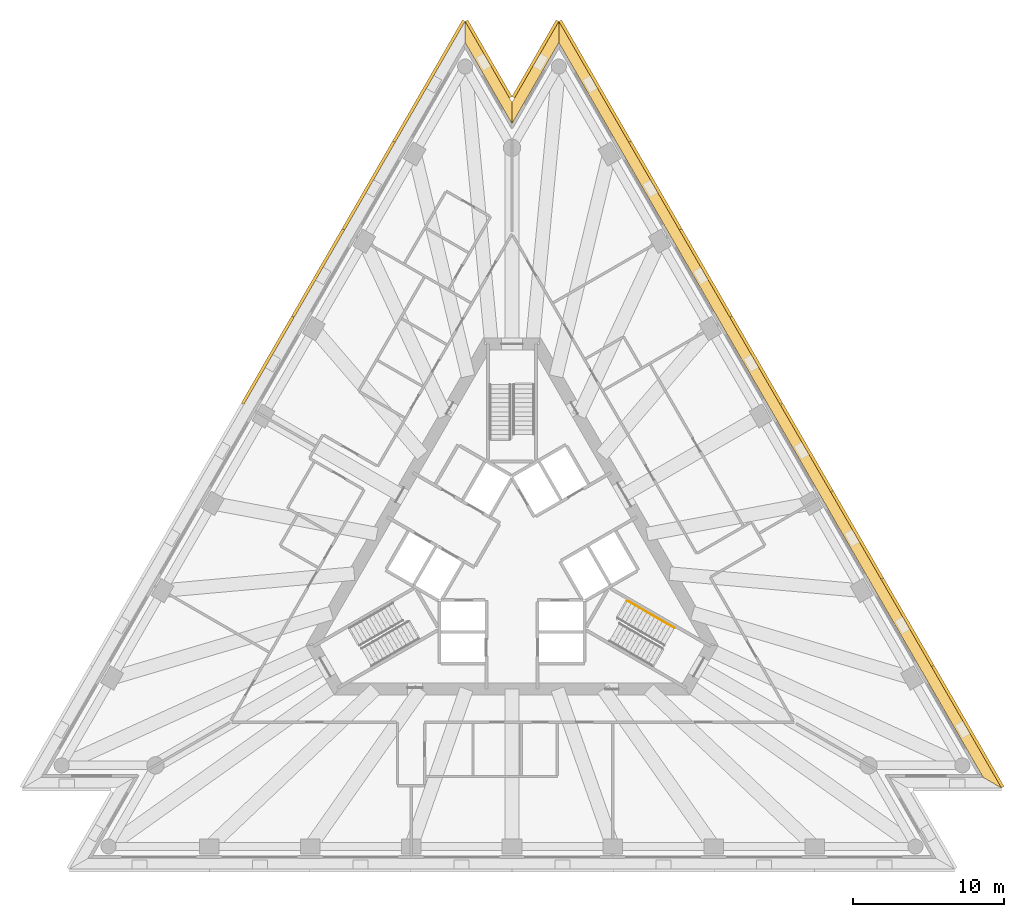
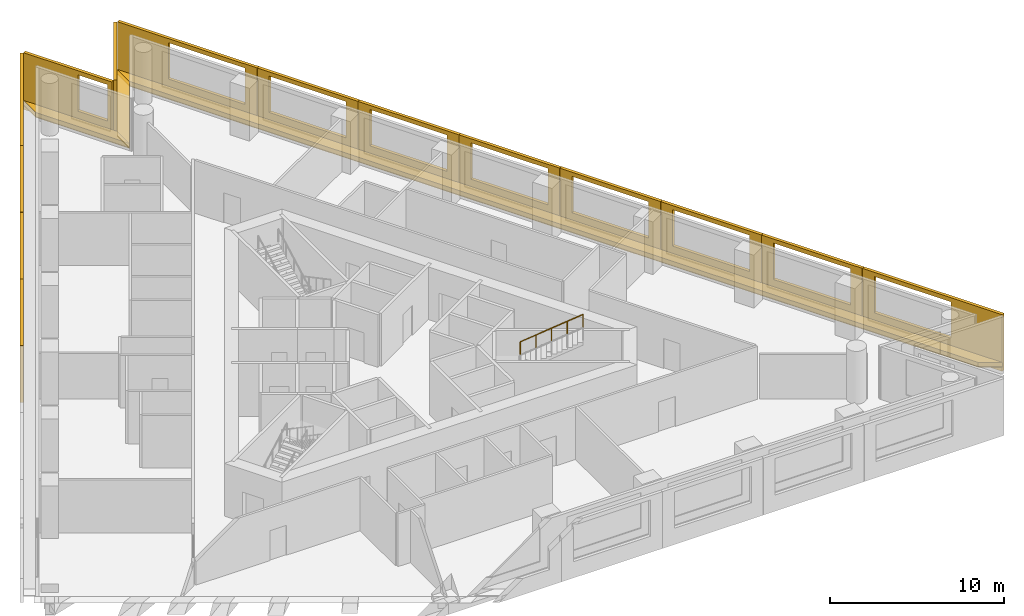
# One storey, part 9 of 9: 17 shading devices, 3 coverings, 1 railing, 1 element without a shape of its own.
"""IFC4 building model written with IfcOpenShell, lengths in metres."""

import ifcopenshell
import ifcopenshell.guid

model = None  # the IFC model being written
_history = None  # IfcOwnerHistory: only IFC2X3 demands one
_inside = {}  # id of a spatial element -> (the spatial element, [elements in it])
_under = {}  # id of a project, library or spatial element -> (it, [spatial elements below it])
_declared = {}  # id of a project -> (the project, [libraries it declares])
_typed = {}  # id of a type object -> (the type object, [elements of that type])
_made_of = {}  # id of a material, layer set ... -> (it, [elements and type objects made of it])


def new_model(schema):
    """Start an empty IFC model of exactly this schema.

    Asked for "IFC4X3", IfcOpenShell would pick the latest addendum, in which some entities
    have other attributes; the version numbers below select the first issue.
    IFC2X3 requires an IfcOwnerHistory on every rooted entity: one is made here for all.
    """
    global model, _history
    if schema == "IFC4X3":
        model = ifcopenshell.file(schema_version=(4, 3, 0, 0))
    else:
        model = ifcopenshell.file(schema=schema)
    _inside.clear()
    _under.clear()
    _declared.clear()
    _typed.clear()
    _made_of.clear()
    _history = None
    if model.schema == "IFC2X3":
        org = make("IfcOrganization", Name="unknown")
        user = make(
            "IfcPersonAndOrganization",
            ThePerson=make("IfcPerson", FamilyName="unknown"),
            TheOrganization=org,
        )
        app = make(
            "IfcApplication",
            ApplicationDeveloper=org,
            Version="unknown",
            ApplicationFullName="unknown",
            ApplicationIdentifier="unknown",
        )
        _history = make(
            "IfcOwnerHistory",
            OwningUser=user,
            OwningApplication=app,
            ChangeAction="ADDED",
            CreationDate=0,
        )
    return model


def make(cls, **values):
    """One entity of the class cls with the attributes given. An attribute that is None is left unset."""
    return model.create_entity(
        cls, **{name: value for name, value in values.items() if value is not None}
    )


def rooted(cls, **values):
    """An entity with a GlobalId (a new one), such as an element, a storey or a relation."""
    return make(cls, GlobalId=ifcopenshell.guid.new(), OwnerHistory=_history, **values)


def si_unit(unit_type, name, prefix=None):
    """IfcSIUnit, for example si_unit("LENGTHUNIT", "METRE", prefix="MILLI")."""
    return make("IfcSIUnit", UnitType=unit_type, Prefix=prefix, Name=name)


def assignment(units):
    """IfcUnitAssignment: the units of a project."""
    return None if units is None else make("IfcUnitAssignment", Units=units)


def point(xyz):
    """IfcCartesianPoint."""
    return None if xyz is None else make("IfcCartesianPoint", Coordinates=xyz)


def direction(xyz):
    """IfcDirection."""
    return None if xyz is None else make("IfcDirection", DirectionRatios=xyz)


def frame(location, z_axis=None, x_axis=None):
    """IfcAxis2Placement3D, a coordinate frame: its origin and axes. An axis left out is left unset."""
    return make(
        "IfcAxis2Placement3D",
        Location=point(location),
        Axis=direction(z_axis),
        RefDirection=direction(x_axis),
    )


def frame_2d(location, x_axis=None):
    """IfcAxis2Placement2D, a coordinate frame in the plane: its origin and x axis."""
    return make(
        "IfcAxis2Placement2D", Location=point(location), RefDirection=direction(x_axis)
    )


def origin():
    """The frame at (0, 0, 0) with its axes left unset."""
    return frame((0.0, 0.0, 0.0))


def origin_2d():
    """The frame at (0, 0) in the plane with its x axis left unset."""
    return frame_2d((0.0, 0.0))


def place(relative_to, where):
    """IfcLocalPlacement: puts the frame where relative to a parent placement (None: the world)."""
    return make(
        "IfcLocalPlacement", PlacementRelTo=relative_to, RelativePlacement=where
    )


def context(
    kind, dimensions, precision=None, world=None, true_north=None, identifier=None
):
    """IfcGeometricRepresentationContext, for example the 3D "Model" context."""
    return make(
        "IfcGeometricRepresentationContext",
        ContextIdentifier=identifier,
        ContextType=kind,
        CoordinateSpaceDimension=dimensions,
        Precision=precision,
        WorldCoordinateSystem=world,
        TrueNorth=true_north,
    )


def subcontext(parent, identifier, kind, view, scale=None):
    """IfcGeometricRepresentationSubContext, for example "Body" below "Model"."""
    return make(
        "IfcGeometricRepresentationSubContext",
        ContextIdentifier=identifier,
        ContextType=kind,
        ParentContext=parent,
        TargetScale=scale,
        TargetView=view,
    )


def project(units=None, contexts=None):
    """IfcProject with its units and contexts."""
    return rooted(
        "IfcProject",
        Name="project",
        RepresentationContexts=contexts,
        UnitsInContext=assignment(units),
    )


def spatial(cls, under=None, at=None, **own):
    """A site, building, storey or space (cls), placed at a placement, below another one or the project."""
    s = rooted(cls, ObjectPlacement=at, **own)
    if under is not None:
        _under.setdefault(under.id(), (under, []))[1].append(s)
    return s


def polyline(points):
    """IfcPolyline through the points."""
    return make("IfcPolyline", Points=[point(p) for p in points])


def profile(cls, at=None, kind="AREA", **sizes):
    """A parametric profile (cls). Its sizes go by their IFC names, for example OverallWidth=200.0."""
    return make(cls, ProfileType=kind, Position=at, **sizes)


def circle(**sizes):
    """IfcCircleProfileDef."""
    return profile("IfcCircleProfileDef", **sizes)


def outline(outer, holes=None, kind="AREA"):
    """IfcArbitraryClosedProfileDef: a profile drawn as a closed curve; with holes, ...WithVoids."""
    if holes is None:
        return make("IfcArbitraryClosedProfileDef", ProfileType=kind, OuterCurve=outer)
    return make(
        "IfcArbitraryProfileDefWithVoids",
        ProfileType=kind,
        OuterCurve=outer,
        InnerCurves=holes,
    )


def extrude(swept, where, along, depth):
    """IfcExtrudedAreaSolid: the profile swept, set in the frame where, extruded along a direction by depth."""
    return make(
        "IfcExtrudedAreaSolid",
        SweptArea=swept,
        Position=where,
        ExtrudedDirection=direction(along),
        Depth=depth,
    )


def shape(context_of_items, identifier, shape_type, items):
    """IfcShapeRepresentation: the items that make up one representation, for example the "Body"."""
    return make(
        "IfcShapeRepresentation",
        ContextOfItems=context_of_items,
        RepresentationIdentifier=identifier,
        RepresentationType=shape_type,
        Items=items,
    )


def material(Name=None, Category=None):
    """IfcMaterial."""
    return make("IfcMaterial", Name=Name, Category=Category)


def layer(
    of_material, thickness, ventilated=None, Name=None, Category=None, Priority=None
):
    """IfcMaterialLayer: one layer of a wall or slab, of a material (None: an air gap)."""
    return make(
        "IfcMaterialLayer",
        Material=of_material,
        LayerThickness=thickness,
        IsVentilated=ventilated,
        Name=Name,
        Category=Category,
        Priority=Priority,
    )


def layer_set(layers, Name=None):
    """IfcMaterialLayerSet."""
    return make("IfcMaterialLayerSet", MaterialLayers=layers, LayerSetName=Name)


def layer_usage(for_layer_set, set_direction, sense, offset, extent=None):
    """IfcMaterialLayerSetUsage: how a layer set lies in its element."""
    return make(
        "IfcMaterialLayerSetUsage",
        ForLayerSet=for_layer_set,
        LayerSetDirection=set_direction,
        DirectionSense=sense,
        OffsetFromReferenceLine=offset,
        ReferenceExtent=extent,
    )


def made_of(thing, what):
    """Note that an element or type object is made of a material, layer set ...; save() writes the relation."""
    if what is not None:
        _made_of.setdefault(what.id(), (what, []))[1].append(thing)
    return thing


def type_object(cls, material=None, **own):
    """A type object (cls), such as IfcWallType, which elements share."""
    return made_of(rooted(cls, **own), material)


def element(
    cls,
    number,
    at=None,
    inside=None,
    cuts=None,
    type_object=None,
    material=None,
    context=None,
    identifier="Body",
    shape_type=None,
    held_by="IfcProductDefinitionShape",
    body=None,
    shapes=None,
    **own,
):
    """One element of the class cls, such as IfcWall. Its Tag is "e" and its number.

    at: its placement. inside: the storey or other place that contains it. cuts: it is an
    opening in that element (IfcRelVoidsElement). A single representation is given by context,
    identifier, shape_type and body (its items); several are given by shapes. held_by: the class
    of the entity that holds the representations. save() writes the other relations.
    """
    e = rooted(cls, Tag="e%d" % number, ObjectPlacement=at, **own)
    if body is not None:
        shapes = [shape(context, identifier, shape_type, body)]
    if shapes is not None:
        e.Representation = make(held_by, Representations=shapes)
    if inside is not None:
        _inside.setdefault(inside.id(), (inside, []))[1].append(e)
    if cuts is not None:
        rooted(
            "IfcRelVoidsElement", RelatingBuildingElement=cuts, RelatedOpeningElement=e
        )
    if type_object is not None:
        _typed.setdefault(type_object.id(), (type_object, []))[1].append(e)
    return made_of(e, material)


def aggregate(whole, parts):
    """IfcRelAggregates: a whole, such as a stair, and the parts it consists of."""
    return rooted("IfcRelAggregates", RelatingObject=whole, RelatedObjects=parts)


def save(model, path):
    """Write the relations noted so far, then the file.

    IfcRelAggregates (storeys below a building ...), IfcRelContainedInSpatialStructure (elements
    in a storey), IfcRelDefinesByType, IfcRelAssociatesMaterial and IfcRelDeclares: one each for
    every whole, place, type object, material and project.
    """
    for whole, parts in _under.values():
        aggregate(whole, parts)
    for where, things in _inside.values():
        rooted(
            "IfcRelContainedInSpatialStructure",
            RelatedElements=things,
            RelatingStructure=where,
        )
    for kind, things in _typed.values():
        rooted("IfcRelDefinesByType", RelatedObjects=things, RelatingType=kind)
    for what, things in _made_of.values():
        rooted("IfcRelAssociatesMaterial", RelatedObjects=things, RelatingMaterial=what)
    for by, libraries in _declared.values():
        rooted("IfcRelDeclares", RelatingContext=by, RelatedDefinitions=libraries)
    model.write(path)


model = new_model("IFC4")

# Units and contexts
model_context = context("Model", 3, precision=1e-05, world=origin(), true_north=direction((0.0, 1.0)))
body_context = subcontext(model_context, "Body", "Model", "MODEL_VIEW")
ifc_project = project(units=[si_unit("LENGTHUNIT", "METRE"), si_unit("AREAUNIT", "SQUARE_METRE"), si_unit("VOLUMEUNIT", "CUBIC_METRE"), si_unit("PLANEANGLEUNIT", "RADIAN"), si_unit("MASSUNIT", "GRAM", prefix="KILO")], contexts=[model_context])

# Site, building, storey
site_placement = place(None, origin())
site = spatial("IfcSite", under=ifc_project, at=site_placement, CompositionType="ELEMENT")
building_placement = place(site_placement, origin())
building = spatial("IfcBuilding", under=site, at=building_placement, Name="Triada Interchange Tower", CompositionType="ELEMENT")
storey_placement = place(building_placement, frame((0.0, 0.0, 148.300048828125)))
storey = spatial("IfcBuildingStorey", under=building, at=storey_placement, Name="L34", CompositionType="ELEMENT", Elevation=148.300048828125)

# Coverings
ifc_material_1 = material(Name="Mineral fire-stop board")
ifc_layer_1 = layer(ifc_material_1, 0.0400390625, Name="Mineral fire-stop board")
ifc_material_2 = material(Name="Intumescent sealant")
ifc_layer_2 = layer(ifc_material_2, 0.010009765625, Name="Intumescent seal")
ifc_layer_set_1 = layer_set([ifc_layer_1, ifc_layer_2], Name="Cavity fire stop")
ifc_layer_usage = layer_usage(ifc_layer_set_1, "AXIS3", "POSITIVE", 0.0)
covering_type = type_object("IfcCoveringType", Name="Cavity fire stop", PredefinedType="INSULATION", material=ifc_layer_set_1)
covering_1_placement = place(storey_placement, origin())
element("IfcCovering", 1, at=covering_1_placement, inside=storey, type_object=covering_type, material=ifc_layer_usage, Name="Cavity fire stop L34 NE", PredefinedType="INSULATION", context=body_context, shape_type="SweptSolid", body=[
    extrude(outline(polyline([(31.25390625, -14.455078125), (32.466064453125, -15.155029296875), (3.10791015625, 35.694091796875), (3.10791015625, 34.2939453125), (31.25390625, -14.455078125)])), origin(), (0.0, 0.0, 1.0), 0.050048828125),
])
covering_2_placement = place(storey_placement, origin())
element("IfcCovering", 2, at=covering_2_placement, inside=storey, type_object=covering_type, material=ifc_layer_usage, Name="Cavity fire stop L34 N-1", PredefinedType="INSULATION", context=body_context, shape_type="SweptSolid", body=[
    extrude(outline(polyline([(3.10791015625, 34.2939453125), (3.10791015625, 35.694091796875), (0.0, 30.31103515625), (0.0, 28.910888671875), (3.10791015625, 34.2939453125)])), origin(), (0.0, 0.0, 1.0), 0.050048828125),
])
covering_3_placement = place(storey_placement, origin())
element("IfcCovering", 3, at=covering_3_placement, inside=storey, type_object=covering_type, material=ifc_layer_usage, Name="Cavity fire stop L34 N-2", PredefinedType="INSULATION", context=body_context, shape_type="SweptSolid", body=[
    extrude(outline(polyline([(0.0, 28.910888671875), (0.0, 30.31103515625), (-3.10791015625, 35.694091796875), (-3.10791015625, 34.2939453125), (0.0, 28.910888671875)])), origin(), (0.0, 0.0, 1.0), 0.050048828125),
])

# Shading devices
ifc_material_3 = material(Name="Aluminium louvre", Category="aluminium")
shading_device_type_1 = type_object("IfcShadingDeviceType", Name="Cavity louvre grille", PredefinedType="JALOUSIE", material=ifc_material_3)
shading_device_1_placement = place(storey_placement, frame((0.0, 0.0, 0.050048828125)))
element("IfcShadingDevice", 4, at=shading_device_1_placement, inside=storey, type_object=shading_device_type_1, Name="Cavity louvre grille L34 NE", PredefinedType="JALOUSIE", context=body_context, shape_type="SweptSolid", body=[
    extrude(outline(polyline([(31.25390625, -14.455078125), (32.466064453125, -15.155029296875), (3.10791015625, 35.694091796875), (3.10791015625, 34.2939453125), (31.25390625, -14.455078125)])), origin(), (0.0, 0.0, 1.0), 0.2998046875),
])
shading_device_2_placement = place(storey_placement, frame((0.0, 0.0, 0.050048828125)))
element("IfcShadingDevice", 5, at=shading_device_2_placement, inside=storey, type_object=shading_device_type_1, Name="Cavity louvre grille L34 N-1", PredefinedType="JALOUSIE", context=body_context, shape_type="SweptSolid", body=[
    extrude(outline(polyline([(3.10791015625, 34.2939453125), (3.10791015625, 35.694091796875), (0.0, 30.31103515625), (0.0, 28.910888671875), (3.10791015625, 34.2939453125)])), origin(), (0.0, 0.0, 1.0), 0.2998046875),
])
shading_device_3_placement = place(storey_placement, frame((0.0, 0.0, 0.050048828125)))
element("IfcShadingDevice", 6, at=shading_device_3_placement, inside=storey, type_object=shading_device_type_1, Name="Cavity louvre grille L34 N-2", PredefinedType="JALOUSIE", context=body_context, shape_type="SweptSolid", body=[
    extrude(outline(polyline([(0.0, 28.910888671875), (0.0, 30.31103515625), (-3.10791015625, 35.694091796875), (-3.10791015625, 34.2939453125), (0.0, 28.910888671875)])), origin(), (0.0, 0.0, 1.0), 0.2998046875),
])
ifc_material_4 = material(Name="Concrete C50/60 precast", Category="concrete")
ifc_layer_3 = layer(ifc_material_4, 0.02001953125, Name="Exposed aggregate face")
ifc_layer_4 = layer(ifc_material_4, 0.179931640625, Name="Precast concrete screen")
ifc_layer_set_2 = layer_set([ifc_layer_3, ifc_layer_4], Name="Outer skin screen panel 3980")
shading_device_type_2 = type_object("IfcShadingDeviceType", Name="Outer skin screen panel 3980", PredefinedType="SHUTTER", material=ifc_layer_set_2)
shading_device_4_placement = place(storey_placement, frame((-3.113037109375, 35.68505859375, -0.2900390625), z_axis=(0.0, 0.0, 1.0), x_axis=(-0.500012049799, -0.866018446718, 0.0)))
element("IfcShadingDevice", 7, at=shading_device_4_placement, inside=storey, type_object=shading_device_type_2, Name="Outer skin screen panel L34 01", PredefinedType="SHUTTER", context=body_context, shape_type="SweptSolid", body=[
    extrude(outline(polyline([(0.0, 0.0), (9.267822265625, 0.0), (9.267822265625, 3.97998046875), (0.0, 3.97998046875), (0.0, 0.0)]), holes=[polyline([(3.382568359375, 1.139892578125), (3.382568359375, 3.68994140625), (8.482666015625, 3.68994140625), (8.482666015625, 1.139892578125), (3.382568359375, 1.139892578125)])]), frame((0.0, 0.0, 0.0), z_axis=(0.0, -1.0, 0.0), x_axis=(1.0, 0.0, 0.0)), (0.0, 0.0, 1.0), 0.199951171875),
])
shading_device_5_placement = place(storey_placement, frame((-7.757080078125, 27.64208984375, -0.2900390625), z_axis=(0.0, 0.0, 1.0), x_axis=(-0.499949507731, -0.866054553547, 0.0)))
element("IfcShadingDevice", 8, at=shading_device_5_placement, inside=storey, type_object=shading_device_type_2, Name="Outer skin screen panel L34 02", PredefinedType="SHUTTER", context=body_context, shape_type="SweptSolid", body=[
    extrude(outline(polyline([(0.0, 0.0), (6.670654296875, 0.0), (6.670654296875, 3.97998046875), (0.0, 3.97998046875), (0.0, 0.0)]), holes=[polyline([(0.78466796875, 1.139892578125), (0.78466796875, 3.68994140625), (5.884521484375, 3.68994140625), (5.884521484375, 1.139892578125), (0.78466796875, 1.139892578125)])]), frame((0.0, 0.0, 0.0), z_axis=(0.0, -1.0, 0.0), x_axis=(1.0, 0.0, 0.0)), (0.0, 0.0, 1.0), 0.199951171875),
])
shading_device_6_placement = place(storey_placement, frame((-11.10205078125, 21.847900390625, -0.2900390625), z_axis=(0.0, 0.0, 1.0), x_axis=(-0.500028753158, -0.866008802504, 0.0)))
element("IfcShadingDevice", 9, at=shading_device_6_placement, inside=storey, type_object=shading_device_type_2, Name="Outer skin screen panel L34 03", PredefinedType="SHUTTER", context=body_context, shape_type="SweptSolid", body=[
    extrude(outline(polyline([(0.0, 0.0), (6.66943359375, 0.0), (6.66943359375, 3.97998046875), (0.0, 3.97998046875), (0.0, 0.0)]), holes=[polyline([(0.78466796875, 1.139892578125), (0.78466796875, 3.68994140625), (5.884765625, 3.68994140625), (5.884765625, 1.139892578125), (0.78466796875, 1.139892578125)])]), frame((0.0, 0.0, 0.0), z_axis=(0.0, -1.0, 0.0), x_axis=(1.0, 0.0, 0.0)), (0.0, 0.0, 1.0), 0.199951171875),
])
shading_device_7_placement = place(storey_placement, frame((-14.447021484375, 16.054931640625, -0.2900390625), z_axis=(0.0, 0.0, 1.0), x_axis=(-0.499965355142, -0.866045405079, 0.0)))
element("IfcShadingDevice", 10, at=shading_device_7_placement, inside=storey, type_object=shading_device_type_2, Name="Outer skin screen panel L34 04", PredefinedType="SHUTTER", context=body_context, shape_type="SweptSolid", body=[
    extrude(outline(polyline([(0.0, 0.0), (6.67041015625, 0.0), (6.67041015625, 3.97998046875), (0.0, 3.97998046875), (0.0, 0.0)]), holes=[polyline([(0.78466796875, 1.139892578125), (0.78466796875, 3.68994140625), (5.884765625, 3.68994140625), (5.884765625, 1.139892578125), (0.78466796875, 1.139892578125)])]), frame((0.0, 0.0, 0.0), z_axis=(0.0, -1.0, 0.0), x_axis=(1.0, 0.0, 0.0)), (0.0, 0.0, 1.0), 0.199951171875),
])
shading_device_8_placement = place(storey_placement, frame((32.4609375, -15.14599609375, -0.2900390625), z_axis=(0.0, 0.0, 1.0), x_axis=(-0.500023456952, 0.866011860483, 0.0)))
element("IfcShadingDevice", 11, at=shading_device_8_placement, inside=storey, type_object=shading_device_type_2, Name="Outer skin screen panel L34 21", PredefinedType="SHUTTER", context=body_context, shape_type="SweptSolid", body=[
    extrude(outline(polyline([(0.0, 0.0), (9.267578125, 0.0), (9.267578125, 3.97998046875), (0.0, 3.97998046875), (0.0, 0.0)]), holes=[polyline([(3.38330078125, 1.139892578125), (3.38330078125, 3.68994140625), (8.4833984375, 3.68994140625), (8.4833984375, 1.139892578125), (3.38330078125, 1.139892578125)])]), frame((0.0, 0.0, 0.0), z_axis=(0.0, -1.0, 0.0), x_axis=(1.0, 0.0, 0.0)), (0.0, 0.0, 1.0), 0.199951171875),
])
shading_device_9_placement = place(storey_placement, frame((27.81689453125, -7.10302734375, -0.2900390625), z_axis=(0.0, 0.0, 1.0), x_axis=(-0.499949507731, 0.866054553547, 0.0)))
element("IfcShadingDevice", 12, at=shading_device_9_placement, inside=storey, type_object=shading_device_type_2, Name="Outer skin screen panel L34 22", PredefinedType="SHUTTER", context=body_context, shape_type="SweptSolid", body=[
    extrude(outline(polyline([(0.0, 0.0), (6.670654296875, 0.0), (6.670654296875, 3.97998046875), (0.0, 3.97998046875), (0.0, 0.0)]), holes=[polyline([(0.785400390625, 1.139892578125), (0.785400390625, 3.68994140625), (5.88525390625, 3.68994140625), (5.88525390625, 1.139892578125), (0.785400390625, 1.139892578125)])]), frame((0.0, 0.0, 0.0), z_axis=(0.0, -1.0, 0.0), x_axis=(1.0, 0.0, 0.0)), (0.0, 0.0, 1.0), 0.199951171875),
])
shading_device_10_placement = place(storey_placement, frame((24.471923828125, -1.30908203125, -0.2900390625), z_axis=(0.0, 0.0, 1.0), x_axis=(-0.500012902398, 0.866017954453, 0.0)))
element("IfcShadingDevice", 13, at=shading_device_10_placement, inside=storey, type_object=shading_device_type_2, Name="Outer skin screen panel L34 23", PredefinedType="SHUTTER", context=body_context, shape_type="SweptSolid", body=[
    extrude(outline(polyline([(0.0, 0.0), (6.669677734375, 0.0), (6.669677734375, 3.97998046875), (0.0, 3.97998046875), (0.0, 0.0)]), holes=[polyline([(0.785400390625, 1.139892578125), (0.785400390625, 3.68994140625), (5.885498046875, 3.68994140625), (5.885498046875, 1.139892578125), (0.785400390625, 1.139892578125)])]), frame((0.0, 0.0, 0.0), z_axis=(0.0, -1.0, 0.0), x_axis=(1.0, 0.0, 0.0)), (0.0, 0.0, 1.0), 0.199951171875),
])
shading_device_11_placement = place(storey_placement, frame((21.126953125, 4.485107421875, -0.2900390625), z_axis=(0.0, 0.0, 1.0), x_axis=(-0.500028753158, 0.866008802504, 0.0)))
element("IfcShadingDevice", 14, at=shading_device_11_placement, inside=storey, type_object=shading_device_type_2, Name="Outer skin screen panel L34 24", PredefinedType="SHUTTER", context=body_context, shape_type="SweptSolid", body=[
    extrude(outline(polyline([(0.0, 0.0), (6.66943359375, 0.0), (6.66943359375, 3.97998046875), (0.0, 3.97998046875), (0.0, 0.0)]), holes=[polyline([(0.784423828125, 1.139892578125), (0.784423828125, 3.68994140625), (5.884521484375, 3.68994140625), (5.884521484375, 1.139892578125), (0.784423828125, 1.139892578125)])]), frame((0.0, 0.0, 0.0), z_axis=(0.0, -1.0, 0.0), x_axis=(1.0, 0.0, 0.0)), (0.0, 0.0, 1.0), 0.199951171875),
])
shading_device_12_placement = place(storey_placement, frame((17.781982421875, 10.278076171875, -0.2900390625), z_axis=(0.0, 0.0, 1.0), x_axis=(-0.499965355142, 0.866045405079, 0.0)))
element("IfcShadingDevice", 15, at=shading_device_12_placement, inside=storey, type_object=shading_device_type_2, Name="Outer skin screen panel L34 25", PredefinedType="SHUTTER", context=body_context, shape_type="SweptSolid", body=[
    extrude(outline(polyline([(0.0, 0.0), (6.67041015625, 0.0), (6.67041015625, 3.97998046875), (0.0, 3.97998046875), (0.0, 0.0)]), holes=[polyline([(0.784423828125, 1.139892578125), (0.784423828125, 3.68994140625), (5.884521484375, 3.68994140625), (5.884521484375, 1.139892578125), (0.784423828125, 1.139892578125)])]), frame((0.0, 0.0, 0.0), z_axis=(0.0, -1.0, 0.0), x_axis=(1.0, 0.0, 0.0)), (0.0, 0.0, 1.0), 0.199951171875),
])
shading_device_13_placement = place(storey_placement, frame((14.43701171875, 16.072021484375, -0.2900390625), z_axis=(0.0, 0.0, 1.0), x_axis=(-0.500028753158, 0.866008802504, 0.0)))
element("IfcShadingDevice", 16, at=shading_device_13_placement, inside=storey, type_object=shading_device_type_2, Name="Outer skin screen panel L34 26", PredefinedType="SHUTTER", context=body_context, shape_type="SweptSolid", body=[
    extrude(outline(polyline([(0.0, 0.0), (6.66943359375, 0.0), (6.66943359375, 3.97998046875), (0.0, 3.97998046875), (0.0, 0.0)]), holes=[polyline([(0.78466796875, 1.139892578125), (0.78466796875, 3.68994140625), (5.884521484375, 3.68994140625), (5.884521484375, 1.139892578125), (0.78466796875, 1.139892578125)])]), frame((0.0, 0.0, 0.0), z_axis=(0.0, -1.0, 0.0), x_axis=(1.0, 0.0, 0.0)), (0.0, 0.0, 1.0), 0.199951171875),
])
shading_device_14_placement = place(storey_placement, frame((11.092041015625, 21.864990234375, -0.2900390625), z_axis=(0.0, 0.0, 1.0), x_axis=(-0.499949507731, 0.866054553547, 0.0)))
element("IfcShadingDevice", 17, at=shading_device_14_placement, inside=storey, type_object=shading_device_type_2, Name="Outer skin screen panel L34 27", PredefinedType="SHUTTER", context=body_context, shape_type="SweptSolid", body=[
    extrude(outline(polyline([(0.0, 0.0), (6.670654296875, 0.0), (6.670654296875, 3.97998046875), (0.0, 3.97998046875), (0.0, 0.0)]), holes=[polyline([(0.78466796875, 1.139892578125), (0.78466796875, 3.68994140625), (5.884765625, 3.68994140625), (5.884765625, 1.139892578125), (0.78466796875, 1.139892578125)])]), frame((0.0, 0.0, 0.0), z_axis=(0.0, -1.0, 0.0), x_axis=(1.0, 0.0, 0.0)), (0.0, 0.0, 1.0), 0.199951171875),
])
shading_device_15_placement = place(storey_placement, frame((7.7470703125, 27.658935546875, -0.2900390625), z_axis=(0.0, 0.0, 1.0), x_axis=(-0.500012049799, 0.866018446718, 0.0)))
element("IfcShadingDevice", 18, at=shading_device_15_placement, inside=storey, type_object=shading_device_type_2, Name="Outer skin screen panel L34 28", PredefinedType="SHUTTER", context=body_context, shape_type="SweptSolid", body=[
    extrude(outline(polyline([(0.0, 0.0), (9.267822265625, 0.0), (9.267822265625, 3.97998046875), (0.0, 3.97998046875), (0.0, 0.0)]), holes=[polyline([(0.78466796875, 1.139892578125), (0.78466796875, 3.68994140625), (5.884765625, 3.68994140625), (5.884765625, 1.139892578125), (0.78466796875, 1.139892578125)])]), frame((0.0, 0.0, 0.0), z_axis=(0.0, -1.0, 0.0), x_axis=(1.0, 0.0, 0.0)), (0.0, 0.0, 1.0), 0.199951171875),
])
shading_device_16_placement = place(storey_placement, frame((3.10302734375, 35.68505859375, -0.2900390625), z_axis=(0.0, 0.0, 1.0), x_axis=(-0.500103034405, -0.86596590867, 0.0)))
element("IfcShadingDevice", 19, at=shading_device_16_placement, inside=storey, type_object=shading_device_type_2, Name="Outer skin screen panel L34 29", PredefinedType="SHUTTER", context=body_context, shape_type="SweptSolid", body=[
    extrude(outline(polyline([(0.0, 0.0), (5.848876953125, 0.0), (5.848876953125, 3.97998046875), (0.0, 3.97998046875), (0.0, 0.0)]), holes=[polyline([(3.175537109375, 1.139892578125), (3.175537109375, 3.68994140625), (5.54931640625, 3.68994140625), (5.54931640625, 1.139892578125), (3.175537109375, 1.139892578125)])]), frame((0.0, 0.0, 0.0), z_axis=(0.0, -1.0, 0.0), x_axis=(1.0, 0.0, 0.0)), (0.0, 0.0, 1.0), 0.199951171875),
])
shading_device_17_placement = place(storey_placement, frame((-0.177978515625, 30.6201171875, -0.2900390625), z_axis=(0.0, 0.0, 1.0), x_axis=(-0.500103034405, 0.86596590867, 0.0)))
element("IfcShadingDevice", 20, at=shading_device_17_placement, inside=storey, type_object=shading_device_type_2, Name="Outer skin screen panel L34 30", PredefinedType="SHUTTER", context=body_context, shape_type="SweptSolid", body=[
    extrude(outline(polyline([(0.0, 0.0), (5.848876953125, 0.0), (5.848876953125, 3.97998046875), (0.0, 3.97998046875), (0.0, 0.0)]), holes=[polyline([(0.300048828125, 1.139892578125), (0.300048828125, 3.68994140625), (2.2578125, 3.68994140625), (2.2578125, 1.139892578125), (0.300048828125, 1.139892578125)])]), frame((0.0, 0.0, 0.0), z_axis=(0.0, -1.0, 0.0), x_axis=(1.0, 0.0, 0.0)), (0.0, 0.0, 1.0), 0.199951171875),
])

# Stair, railing
ifc_material_5 = material(Name="Concrete C35/45", Category="concrete")
stair_type = type_object("IfcStairType", Name="HALF TURN STAIR 1400", PredefinedType="HALF_TURN_STAIR", material=ifc_material_5)
stair_placement = place(storey_placement, origin())
stair = element("IfcStair", 21, at=stair_placement, inside=storey, type_object=stair_type, Name="Exit stair S32-3", PredefinedType="HALF_TURN_STAIR")
ifc_material_6 = material(Name="Stainless steel 1.4301", Category="steel")
railing_type = type_object("IfcRailingType", Name="STAIR HANDRAIL 900", PredefinedType="HANDRAIL", material=ifc_material_6)
railing_placement = place(storey_placement, frame((7.653076171875, -2.743896484375, 2.079833984375)))
railing = element("IfcRailing", 22, at=railing_placement, type_object=railing_type, Name="Handrail S32-3 2W", PredefinedType="HANDRAIL", context=body_context, shape_type="SweptSolid", body=[
    extrude(circle(Radius=0.02392578125, at=origin_2d()), frame((0.0, 0.0, 0.8759765625), z_axis=(0.76414469501, -0.441158784458, 0.470597292793), x_axis=(0.499982693035, 0.866035395735, 0.0)), (0.0, 0.0, 1.0), 4.080322265625),
    extrude(circle(Radius=0.02099609375, at=origin_2d()), origin(), (0.0, 0.0, 1.0), 0.851806640625),
    extrude(circle(Radius=0.02099609375, at=origin_2d()), frame((0.779541015625, -0.449951171875, 0.47998046875)), (0.0, 0.0, 1.0), 0.851806640625),
    extrude(circle(Radius=0.02099609375, at=origin_2d()), frame((1.55908203125, -0.89990234375, 0.9599609375)), (0.0, 0.0, 1.0), 0.851806640625),
    extrude(circle(Radius=0.02099609375, at=origin_2d()), frame((2.33837890625, -1.35009765625, 1.440185546875)), (0.0, 0.0, 1.0), 0.851806640625),
    extrude(circle(Radius=0.02099609375, at=origin_2d()), frame((3.117919921875, -1.800048828125, 1.920166015625)), (0.0, 0.0, 1.0), 0.851806640625),
])
aggregate(stair, [railing])

save(model, "model.ifc")
